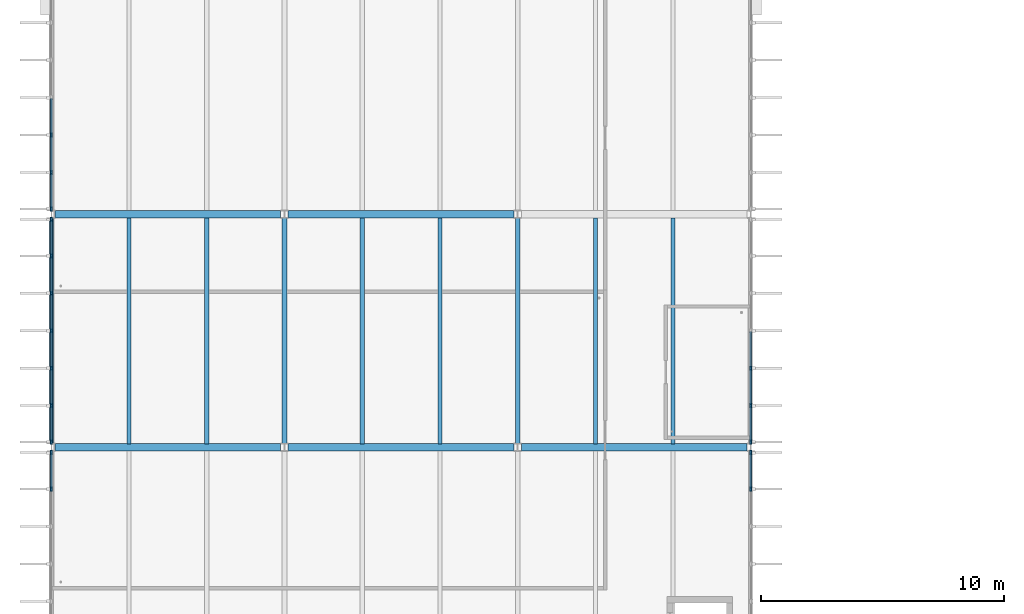
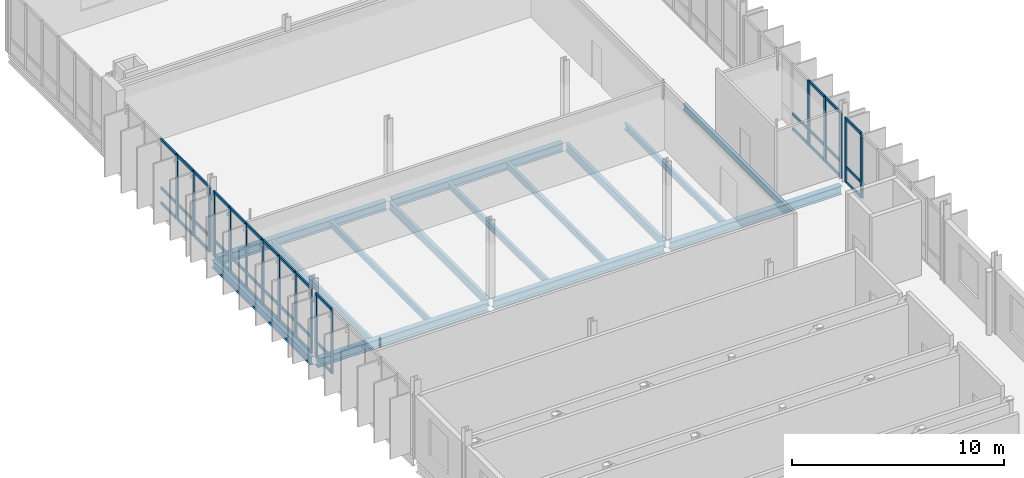
# One storey, part 40 of 110: 58 members, 14 beams, 5 elements without a shape of their own.
"""IFC4 building model written with IfcOpenShell, lengths in metres."""

from ifc_helpers import new_model, si_unit, direction, frame, origin, origin_2d, place, context, subcontext, project, spatial, rectangle, i_section, extrude, material, material_profile, profile_set, type_object, element, aggregate, save


model = new_model("IFC4")

# Units and contexts
model_context = context("Model", 3, precision=1e-05, world=origin(), true_north=direction((0.0, 1.0)))
body_context = subcontext(model_context, "Body", "Model", "MODEL_VIEW")
ifc_project = project(units=[si_unit("LENGTHUNIT", "METRE"), si_unit("AREAUNIT", "SQUARE_METRE"), si_unit("VOLUMEUNIT", "CUBIC_METRE"), si_unit("PLANEANGLEUNIT", "RADIAN"), si_unit("MASSUNIT", "GRAM", prefix="KILO")], contexts=[model_context])

# Site, building, storey
site_placement = place(None, origin())
site = spatial("IfcSite", under=ifc_project, at=site_placement, CompositionType="ELEMENT")
building_placement = place(site_placement, origin())
building = spatial("IfcBuilding", under=site, at=building_placement, Name="Dunescarp Central Library", CompositionType="ELEMENT")
storey_placement = place(building_placement, frame((0.0, 0.0, 9.60009765625)))
storey = spatial("IfcBuildingStorey", under=building, at=storey_placement, Name="L02", CompositionType="ELEMENT", Elevation=9.60009765625)

# Curtain wall, members
ifc_material_1 = material(Name="Marine-grade anodised aluminium 6063-T6", Category="aluminium")
curtain_wall_type = type_object("IfcCurtainWallType", Name="ARC-CW-STICK", PredefinedType="NOTDEFINED", material=ifc_material_1)
curtain_wall_1_placement = place(storey_placement, origin())
curtain_wall_1 = element("IfcCurtainWall", 1, at=curtain_wall_1_placement, inside=storey, type_object=curtain_wall_type, Name="L02 curtain wall CW-V4-124", PredefinedType="NOTDEFINED")
ifc_material_profile_1 = material_profile(ifc_material_1, rectangle(XDim=0.080078125, YDim=0.179931640625, at=origin_2d()), Name="AL 80x180")
ifc_profile_set_1 = profile_set([ifc_material_profile_1], Name="Marine-grade anodised aluminium 6063-T6")
member_type_1 = type_object("IfcMemberType", Name="ARC-CWM-180", PredefinedType="MULLION", material=ifc_profile_set_1)
member_1_placement = place(storey_placement, frame((0.0, 68.683349609375, 0.0), z_axis=(0.0, 0.0, 1.0), x_axis=(-1.0, 0.0, 0.0)))
member_1 = element("IfcMember", 2, at=member_1_placement, type_object=member_type_1, Name="CW-V4-124 mullion 6", PredefinedType="MULLION", context=body_context, shape_type="SweptSolid", body=[
    extrude(rectangle(XDim=0.080078125, YDim=0.179931640625, at=origin_2d()), origin(), (0.0, 0.0, 1.0), 3.701904296875),
])
member_2_placement = place(storey_placement, frame((0.0, 70.18505859375, 0.0), z_axis=(0.0, 0.0, 1.0), x_axis=(-1.0, 0.0, 0.0)))
member_2 = element("IfcMember", 3, at=member_2_placement, type_object=member_type_1, Name="CW-V4-124 mullion 7", PredefinedType="MULLION", context=body_context, shape_type="SweptSolid", body=[
    extrude(rectangle(XDim=0.080078125, YDim=0.179931640625, at=origin_2d()), origin(), (0.0, 0.0, 1.0), 3.701904296875),
])

curtain_wall_2_placement = place(storey_placement, origin())
curtain_wall_2 = element("IfcCurtainWall", 4, at=curtain_wall_2_placement, inside=storey, type_object=curtain_wall_type, Name="L02 curtain wall CW-V4-125", PredefinedType="NOTDEFINED")
member_3_placement = place(storey_placement, frame((28.800048828125, 70.18505859375, 0.0), z_axis=(0.0, 0.0, 1.0), x_axis=(1.0, 0.0, 0.0)))
member_3 = element("IfcMember", 5, at=member_3_placement, type_object=member_type_1, Name="CW-V4-125 mullion 1", PredefinedType="MULLION", context=body_context, shape_type="SweptSolid", body=[
    extrude(rectangle(XDim=0.080078125, YDim=0.179931640625, at=origin_2d()), origin(), (0.0, 0.0, 1.0), 3.701904296875),
])
member_4_placement = place(storey_placement, frame((28.800048828125, 68.683349609375, 0.0), z_axis=(0.0, 0.0, 1.0), x_axis=(1.0, 0.0, 0.0)))
member_4 = element("IfcMember", 6, at=member_4_placement, type_object=member_type_1, Name="CW-V4-125 mullion 2", PredefinedType="MULLION", context=body_context, shape_type="SweptSolid", body=[
    extrude(rectangle(XDim=0.080078125, YDim=0.179931640625, at=origin_2d()), origin(), (0.0, 0.0, 1.0), 3.701904296875),
])

curtain_wall_3_placement = place(storey_placement, origin())
curtain_wall_3 = element("IfcCurtainWall", 7, at=curtain_wall_3_placement, inside=storey, type_object=curtain_wall_type, Name="L02 curtain wall CW-V4-126", PredefinedType="NOTDEFINED")
member_5_placement = place(storey_placement, frame((0.0, 70.614990234375, 0.0), z_axis=(0.0, 0.0, 1.0), x_axis=(-1.0, 0.0, 0.0)))
member_5 = element("IfcMember", 8, at=member_5_placement, type_object=member_type_1, Name="CW-V4-126 mullion 1", PredefinedType="MULLION", context=body_context, shape_type="SweptSolid", body=[
    extrude(rectangle(XDim=0.080078125, YDim=0.179931640625, at=origin_2d()), origin(), (0.0, 0.0, 1.0), 3.73486328125),
])
member_6_placement = place(storey_placement, frame((0.0, 72.11669921875, 0.0), z_axis=(0.0, 0.0, 1.0), x_axis=(-1.0, 0.0, 0.0)))
member_6 = element("IfcMember", 9, at=member_6_placement, type_object=member_type_1, Name="CW-V4-126 mullion 2", PredefinedType="MULLION", context=body_context, shape_type="SweptSolid", body=[
    extrude(rectangle(XDim=0.080078125, YDim=0.179931640625, at=origin_2d()), origin(), (0.0, 0.0, 1.0), 3.73486328125),
])
member_7_placement = place(storey_placement, frame((0.0, 73.658447265625, 0.0), z_axis=(0.0, 0.0, 1.0), x_axis=(-1.0, 0.0, 0.0)))
member_7 = element("IfcMember", 10, at=member_7_placement, type_object=member_type_1, Name="CW-V4-126 mullion 3", PredefinedType="MULLION", context=body_context, shape_type="SweptSolid", body=[
    extrude(rectangle(XDim=0.080078125, YDim=0.179931640625, at=origin_2d()), origin(), (0.0, 0.0, 1.0), 3.73486328125),
])
member_8_placement = place(storey_placement, frame((0.0, 75.199951171875, 0.0), z_axis=(0.0, 0.0, 1.0), x_axis=(-1.0, 0.0, 0.0)))
member_8 = element("IfcMember", 11, at=member_8_placement, type_object=member_type_1, Name="CW-V4-126 mullion 4", PredefinedType="MULLION", context=body_context, shape_type="SweptSolid", body=[
    extrude(rectangle(XDim=0.080078125, YDim=0.179931640625, at=origin_2d()), origin(), (0.0, 0.0, 1.0), 3.73486328125),
])
member_9_placement = place(storey_placement, frame((0.0, 76.74169921875, 0.0), z_axis=(0.0, 0.0, 1.0), x_axis=(-1.0, 0.0, 0.0)))
member_9 = element("IfcMember", 12, at=member_9_placement, type_object=member_type_1, Name="CW-V4-126 mullion 5", PredefinedType="MULLION", context=body_context, shape_type="SweptSolid", body=[
    extrude(rectangle(XDim=0.080078125, YDim=0.179931640625, at=origin_2d()), origin(), (0.0, 0.0, 1.0), 3.73486328125),
])
member_10_placement = place(storey_placement, frame((0.0, 78.283447265625, 0.0), z_axis=(0.0, 0.0, 1.0), x_axis=(-1.0, 0.0, 0.0)))
member_10 = element("IfcMember", 13, at=member_10_placement, type_object=member_type_1, Name="CW-V4-126 mullion 6", PredefinedType="MULLION", context=body_context, shape_type="SweptSolid", body=[
    extrude(rectangle(XDim=0.080078125, YDim=0.179931640625, at=origin_2d()), origin(), (0.0, 0.0, 1.0), 3.73486328125),
])
member_11_placement = place(storey_placement, frame((0.0, 79.784912109375, 0.0), z_axis=(0.0, 0.0, 1.0), x_axis=(-1.0, 0.0, 0.0)))
member_11 = element("IfcMember", 14, at=member_11_placement, type_object=member_type_1, Name="CW-V4-126 mullion 7", PredefinedType="MULLION", context=body_context, shape_type="SweptSolid", body=[
    extrude(rectangle(XDim=0.080078125, YDim=0.179931640625, at=origin_2d()), origin(), (0.0, 0.0, 1.0), 3.73486328125),
])

curtain_wall_4_placement = place(storey_placement, origin())
curtain_wall_4 = element("IfcCurtainWall", 15, at=curtain_wall_4_placement, inside=storey, type_object=curtain_wall_type, Name="L02 curtain wall CW-V4-127", PredefinedType="NOTDEFINED")
member_12_placement = place(storey_placement, frame((28.800048828125, 73.658447265625, 0.0), z_axis=(0.0, 0.0, 1.0), x_axis=(1.0, 0.0, 0.0)))
member_12 = element("IfcMember", 16, at=member_12_placement, type_object=member_type_1, Name="CW-V4-127 mullion 5", PredefinedType="MULLION", context=body_context, shape_type="SweptSolid", body=[
    extrude(rectangle(XDim=0.080078125, YDim=0.179931640625, at=origin_2d()), origin(), (0.0, 0.0, 1.0), 3.73486328125),
])
member_13_placement = place(storey_placement, frame((28.800048828125, 72.11669921875, 0.0), z_axis=(0.0, 0.0, 1.0), x_axis=(1.0, 0.0, 0.0)))
member_13 = element("IfcMember", 17, at=member_13_placement, type_object=member_type_1, Name="CW-V4-127 mullion 6", PredefinedType="MULLION", context=body_context, shape_type="SweptSolid", body=[
    extrude(rectangle(XDim=0.080078125, YDim=0.179931640625, at=origin_2d()), origin(), (0.0, 0.0, 1.0), 3.73486328125),
])
member_14_placement = place(storey_placement, frame((28.800048828125, 70.614990234375, 0.0), z_axis=(0.0, 0.0, 1.0), x_axis=(1.0, 0.0, 0.0)))
member_14 = element("IfcMember", 18, at=member_14_placement, type_object=member_type_1, Name="CW-V4-127 mullion 7", PredefinedType="MULLION", context=body_context, shape_type="SweptSolid", body=[
    extrude(rectangle(XDim=0.080078125, YDim=0.179931640625, at=origin_2d()), origin(), (0.0, 0.0, 1.0), 3.73486328125),
])

curtain_wall_5_placement = place(storey_placement, origin())
curtain_wall_5 = element("IfcCurtainWall", 19, at=curtain_wall_5_placement, inside=storey, type_object=curtain_wall_type, Name="L02 curtain wall CW-V4-128", PredefinedType="NOTDEFINED")
member_15_placement = place(storey_placement, frame((0.0, 80.215087890625, 0.0), z_axis=(0.0, 0.0, 1.0), x_axis=(-1.0, 0.0, 0.0)))
member_15 = element("IfcMember", 20, at=member_15_placement, type_object=member_type_1, Name="CW-V4-128 mullion 1", PredefinedType="MULLION", context=body_context, shape_type="SweptSolid", body=[
    extrude(rectangle(XDim=0.080078125, YDim=0.179931640625, at=origin_2d()), origin(), (0.0, 0.0, 1.0), 3.73486328125),
])
member_16_placement = place(storey_placement, frame((0.0, 81.716552734375, 0.0), z_axis=(0.0, 0.0, 1.0), x_axis=(-1.0, 0.0, 0.0)))
member_16 = element("IfcMember", 21, at=member_16_placement, type_object=member_type_1, Name="CW-V4-128 mullion 2", PredefinedType="MULLION", context=body_context, shape_type="SweptSolid", body=[
    extrude(rectangle(XDim=0.080078125, YDim=0.179931640625, at=origin_2d()), origin(), (0.0, 0.0, 1.0), 3.73486328125),
])
member_17_placement = place(storey_placement, frame((0.0, 83.25830078125, 0.0), z_axis=(0.0, 0.0, 1.0), x_axis=(-1.0, 0.0, 0.0)))
member_17 = element("IfcMember", 22, at=member_17_placement, type_object=member_type_1, Name="CW-V4-128 mullion 3", PredefinedType="MULLION", context=body_context, shape_type="SweptSolid", body=[
    extrude(rectangle(XDim=0.080078125, YDim=0.179931640625, at=origin_2d()), origin(), (0.0, 0.0, 1.0), 3.73486328125),
])

# Member
ifc_material_profile_2 = material_profile(ifc_material_1, rectangle(XDim=0.080078125, YDim=0.14990234375, at=origin_2d()), Name="AL 80x150")
ifc_profile_set_2 = profile_set([ifc_material_profile_2], Name="Marine-grade anodised aluminium 6063-T6")
member_type_2 = type_object("IfcMemberType", Name="ARC-CWT-150", PredefinedType="USERDEFINED", material=ifc_profile_set_2)
member_18_placement = place(storey_placement, frame((0.0, 68.723388671875, 0.039794921875), z_axis=(0.0, 1.0, 0.0), x_axis=(-1.0, 0.0, 0.0)))
member_18 = element("IfcMember", 23, at=member_18_placement, type_object=member_type_2, Name="CW-V4-124 transom 6.1", ObjectType="TRANSOM", PredefinedType="USERDEFINED", context=body_context, shape_type="SweptSolid", body=[
    extrude(rectangle(XDim=0.080078125, YDim=0.14990234375, at=origin_2d()), origin(), (0.0, 0.0, 1.0), 1.421630859375),
])

member_19_placement = place(storey_placement, frame((0.0, 68.723388671875, 0.89990234375), z_axis=(0.0, 1.0, 0.0), x_axis=(-1.0, 0.0, 0.0)))
member_19 = element("IfcMember", 24, at=member_19_placement, type_object=member_type_2, Name="CW-V4-124 transom 6.2", ObjectType="TRANSOM", PredefinedType="USERDEFINED", context=body_context, shape_type="SweptSolid", body=[
    extrude(rectangle(XDim=0.080078125, YDim=0.14990234375, at=origin_2d()), origin(), (0.0, 0.0, 1.0), 1.421630859375),
])

member_20_placement = place(storey_placement, frame((0.0, 68.723388671875, 3.661865234375), z_axis=(0.0, 1.0, 0.0), x_axis=(-1.0, 0.0, 0.0)))
member_20 = element("IfcMember", 25, at=member_20_placement, type_object=member_type_2, Name="CW-V4-124 transom 6.3", ObjectType="TRANSOM", PredefinedType="USERDEFINED", context=body_context, shape_type="SweptSolid", body=[
    extrude(rectangle(XDim=0.080078125, YDim=0.14990234375, at=origin_2d()), origin(), (0.0, 0.0, 1.0), 1.421630859375),
])

aggregate(curtain_wall_1, [member_1, member_2, member_18, member_19, member_20])

member_21_placement = place(storey_placement, frame((28.800048828125, 70.14501953125, 0.039794921875), z_axis=(0.0, -1.0, 0.0), x_axis=(1.0, 0.0, 0.0)))
member_21 = element("IfcMember", 26, at=member_21_placement, type_object=member_type_2, Name="CW-V4-125 transom 1.1", ObjectType="TRANSOM", PredefinedType="USERDEFINED", context=body_context, shape_type="SweptSolid", body=[
    extrude(rectangle(XDim=0.080078125, YDim=0.14990234375, at=origin_2d()), origin(), (0.0, 0.0, 1.0), 1.421630859375),
])

member_22_placement = place(storey_placement, frame((28.800048828125, 70.14501953125, 0.89990234375), z_axis=(0.0, -1.0, 0.0), x_axis=(1.0, 0.0, 0.0)))
member_22 = element("IfcMember", 27, at=member_22_placement, type_object=member_type_2, Name="CW-V4-125 transom 1.2", ObjectType="TRANSOM", PredefinedType="USERDEFINED", context=body_context, shape_type="SweptSolid", body=[
    extrude(rectangle(XDim=0.080078125, YDim=0.14990234375, at=origin_2d()), origin(), (0.0, 0.0, 1.0), 1.421630859375),
])

member_23_placement = place(storey_placement, frame((28.800048828125, 70.14501953125, 3.661865234375), z_axis=(0.0, -1.0, 0.0), x_axis=(1.0, 0.0, 0.0)))
member_23 = element("IfcMember", 28, at=member_23_placement, type_object=member_type_2, Name="CW-V4-125 transom 1.3", ObjectType="TRANSOM", PredefinedType="USERDEFINED", context=body_context, shape_type="SweptSolid", body=[
    extrude(rectangle(XDim=0.080078125, YDim=0.14990234375, at=origin_2d()), origin(), (0.0, 0.0, 1.0), 1.421630859375),
])

aggregate(curtain_wall_2, [member_3, member_4, member_21, member_22, member_23])

member_24_placement = place(storey_placement, frame((0.0, 70.655029296875, 0.039794921875), z_axis=(0.0, 1.0, 0.0), x_axis=(-1.0, 0.0, 0.0)))
member_24 = element("IfcMember", 29, at=member_24_placement, type_object=member_type_2, Name="CW-V4-126 transom 1.1", ObjectType="TRANSOM", PredefinedType="USERDEFINED", context=body_context, shape_type="SweptSolid", body=[
    extrude(rectangle(XDim=0.080078125, YDim=0.14990234375, at=origin_2d()), origin(), (0.0, 0.0, 1.0), 1.421630859375),
])

member_25_placement = place(storey_placement, frame((0.0, 70.655029296875, 0.89990234375), z_axis=(0.0, 1.0, 0.0), x_axis=(-1.0, 0.0, 0.0)))
member_25 = element("IfcMember", 30, at=member_25_placement, type_object=member_type_2, Name="CW-V4-126 transom 1.2", ObjectType="TRANSOM", PredefinedType="USERDEFINED", context=body_context, shape_type="SweptSolid", body=[
    extrude(rectangle(XDim=0.080078125, YDim=0.14990234375, at=origin_2d()), origin(), (0.0, 0.0, 1.0), 1.421630859375),
])

member_26_placement = place(storey_placement, frame((0.0, 70.655029296875, 3.69482421875), z_axis=(0.0, 1.0, 0.0), x_axis=(-1.0, 0.0, 0.0)))
member_26 = element("IfcMember", 31, at=member_26_placement, type_object=member_type_2, Name="CW-V4-126 transom 1.3", ObjectType="TRANSOM", PredefinedType="USERDEFINED", context=body_context, shape_type="SweptSolid", body=[
    extrude(rectangle(XDim=0.080078125, YDim=0.14990234375, at=origin_2d()), origin(), (0.0, 0.0, 1.0), 1.421630859375),
])

member_27_placement = place(storey_placement, frame((0.0, 72.15673828125, 0.039794921875), z_axis=(0.0, 1.0, 0.0), x_axis=(-1.0, 0.0, 0.0)))
member_27 = element("IfcMember", 32, at=member_27_placement, type_object=member_type_2, Name="CW-V4-126 transom 2.1", ObjectType="TRANSOM", PredefinedType="USERDEFINED", context=body_context, shape_type="SweptSolid", body=[
    extrude(rectangle(XDim=0.080078125, YDim=0.14990234375, at=origin_2d()), origin(), (0.0, 0.0, 1.0), 1.461669921875),
])

member_28_placement = place(storey_placement, frame((0.0, 72.15673828125, 0.89990234375), z_axis=(0.0, 1.0, 0.0), x_axis=(-1.0, 0.0, 0.0)))
member_28 = element("IfcMember", 33, at=member_28_placement, type_object=member_type_2, Name="CW-V4-126 transom 2.2", ObjectType="TRANSOM", PredefinedType="USERDEFINED", context=body_context, shape_type="SweptSolid", body=[
    extrude(rectangle(XDim=0.080078125, YDim=0.14990234375, at=origin_2d()), origin(), (0.0, 0.0, 1.0), 1.461669921875),
])

member_29_placement = place(storey_placement, frame((0.0, 72.15673828125, 3.69482421875), z_axis=(0.0, 1.0, 0.0), x_axis=(-1.0, 0.0, 0.0)))
member_29 = element("IfcMember", 34, at=member_29_placement, type_object=member_type_2, Name="CW-V4-126 transom 2.3", ObjectType="TRANSOM", PredefinedType="USERDEFINED", context=body_context, shape_type="SweptSolid", body=[
    extrude(rectangle(XDim=0.080078125, YDim=0.14990234375, at=origin_2d()), origin(), (0.0, 0.0, 1.0), 1.461669921875),
])

member_30_placement = place(storey_placement, frame((0.0, 73.6982421875, 0.039794921875), z_axis=(0.0, 1.0, 0.0), x_axis=(-1.0, 0.0, 0.0)))
member_30 = element("IfcMember", 35, at=member_30_placement, type_object=member_type_2, Name="CW-V4-126 transom 3.1", ObjectType="TRANSOM", PredefinedType="USERDEFINED", context=body_context, shape_type="SweptSolid", body=[
    extrude(rectangle(XDim=0.080078125, YDim=0.14990234375, at=origin_2d()), origin(), (0.0, 0.0, 1.0), 1.461669921875),
])

member_31_placement = place(storey_placement, frame((0.0, 73.6982421875, 0.89990234375), z_axis=(0.0, 1.0, 0.0), x_axis=(-1.0, 0.0, 0.0)))
member_31 = element("IfcMember", 36, at=member_31_placement, type_object=member_type_2, Name="CW-V4-126 transom 3.2", ObjectType="TRANSOM", PredefinedType="USERDEFINED", context=body_context, shape_type="SweptSolid", body=[
    extrude(rectangle(XDim=0.080078125, YDim=0.14990234375, at=origin_2d()), origin(), (0.0, 0.0, 1.0), 1.461669921875),
])

member_32_placement = place(storey_placement, frame((0.0, 73.6982421875, 3.69482421875), z_axis=(0.0, 1.0, 0.0), x_axis=(-1.0, 0.0, 0.0)))
member_32 = element("IfcMember", 37, at=member_32_placement, type_object=member_type_2, Name="CW-V4-126 transom 3.3", ObjectType="TRANSOM", PredefinedType="USERDEFINED", context=body_context, shape_type="SweptSolid", body=[
    extrude(rectangle(XDim=0.080078125, YDim=0.14990234375, at=origin_2d()), origin(), (0.0, 0.0, 1.0), 1.461669921875),
])

member_33_placement = place(storey_placement, frame((0.0, 75.239990234375, 0.039794921875), z_axis=(0.0, 1.0, 0.0), x_axis=(-1.0, 0.0, 0.0)))
member_33 = element("IfcMember", 38, at=member_33_placement, type_object=member_type_2, Name="CW-V4-126 transom 4.1", ObjectType="TRANSOM", PredefinedType="USERDEFINED", context=body_context, shape_type="SweptSolid", body=[
    extrude(rectangle(XDim=0.080078125, YDim=0.14990234375, at=origin_2d()), origin(), (0.0, 0.0, 1.0), 1.461669921875),
])

member_34_placement = place(storey_placement, frame((0.0, 75.239990234375, 0.89990234375), z_axis=(0.0, 1.0, 0.0), x_axis=(-1.0, 0.0, 0.0)))
member_34 = element("IfcMember", 39, at=member_34_placement, type_object=member_type_2, Name="CW-V4-126 transom 4.2", ObjectType="TRANSOM", PredefinedType="USERDEFINED", context=body_context, shape_type="SweptSolid", body=[
    extrude(rectangle(XDim=0.080078125, YDim=0.14990234375, at=origin_2d()), origin(), (0.0, 0.0, 1.0), 1.461669921875),
])

member_35_placement = place(storey_placement, frame((0.0, 75.239990234375, 3.69482421875), z_axis=(0.0, 1.0, 0.0), x_axis=(-1.0, 0.0, 0.0)))
member_35 = element("IfcMember", 40, at=member_35_placement, type_object=member_type_2, Name="CW-V4-126 transom 4.3", ObjectType="TRANSOM", PredefinedType="USERDEFINED", context=body_context, shape_type="SweptSolid", body=[
    extrude(rectangle(XDim=0.080078125, YDim=0.14990234375, at=origin_2d()), origin(), (0.0, 0.0, 1.0), 1.461669921875),
])

member_36_placement = place(storey_placement, frame((0.0, 76.78173828125, 0.039794921875), z_axis=(0.0, 1.0, 0.0), x_axis=(-1.0, 0.0, 0.0)))
member_36 = element("IfcMember", 41, at=member_36_placement, type_object=member_type_2, Name="CW-V4-126 transom 5.1", ObjectType="TRANSOM", PredefinedType="USERDEFINED", context=body_context, shape_type="SweptSolid", body=[
    extrude(rectangle(XDim=0.080078125, YDim=0.14990234375, at=origin_2d()), origin(), (0.0, 0.0, 1.0), 1.461669921875),
])

member_37_placement = place(storey_placement, frame((0.0, 76.78173828125, 0.89990234375), z_axis=(0.0, 1.0, 0.0), x_axis=(-1.0, 0.0, 0.0)))
member_37 = element("IfcMember", 42, at=member_37_placement, type_object=member_type_2, Name="CW-V4-126 transom 5.2", ObjectType="TRANSOM", PredefinedType="USERDEFINED", context=body_context, shape_type="SweptSolid", body=[
    extrude(rectangle(XDim=0.080078125, YDim=0.14990234375, at=origin_2d()), origin(), (0.0, 0.0, 1.0), 1.461669921875),
])

member_38_placement = place(storey_placement, frame((0.0, 76.78173828125, 3.69482421875), z_axis=(0.0, 1.0, 0.0), x_axis=(-1.0, 0.0, 0.0)))
member_38 = element("IfcMember", 43, at=member_38_placement, type_object=member_type_2, Name="CW-V4-126 transom 5.3", ObjectType="TRANSOM", PredefinedType="USERDEFINED", context=body_context, shape_type="SweptSolid", body=[
    extrude(rectangle(XDim=0.080078125, YDim=0.14990234375, at=origin_2d()), origin(), (0.0, 0.0, 1.0), 1.461669921875),
])

member_39_placement = place(storey_placement, frame((0.0, 78.3232421875, 0.039794921875), z_axis=(0.0, 1.0, 0.0), x_axis=(-1.0, 0.0, 0.0)))
member_39 = element("IfcMember", 44, at=member_39_placement, type_object=member_type_2, Name="CW-V4-126 transom 6.1", ObjectType="TRANSOM", PredefinedType="USERDEFINED", context=body_context, shape_type="SweptSolid", body=[
    extrude(rectangle(XDim=0.080078125, YDim=0.14990234375, at=origin_2d()), origin(), (0.0, 0.0, 1.0), 1.421875),
])

member_40_placement = place(storey_placement, frame((0.0, 78.3232421875, 0.89990234375), z_axis=(0.0, 1.0, 0.0), x_axis=(-1.0, 0.0, 0.0)))
member_40 = element("IfcMember", 45, at=member_40_placement, type_object=member_type_2, Name="CW-V4-126 transom 6.2", ObjectType="TRANSOM", PredefinedType="USERDEFINED", context=body_context, shape_type="SweptSolid", body=[
    extrude(rectangle(XDim=0.080078125, YDim=0.14990234375, at=origin_2d()), origin(), (0.0, 0.0, 1.0), 1.421875),
])

member_41_placement = place(storey_placement, frame((0.0, 78.3232421875, 3.69482421875), z_axis=(0.0, 1.0, 0.0), x_axis=(-1.0, 0.0, 0.0)))
member_41 = element("IfcMember", 46, at=member_41_placement, type_object=member_type_2, Name="CW-V4-126 transom 6.3", ObjectType="TRANSOM", PredefinedType="USERDEFINED", context=body_context, shape_type="SweptSolid", body=[
    extrude(rectangle(XDim=0.080078125, YDim=0.14990234375, at=origin_2d()), origin(), (0.0, 0.0, 1.0), 1.421875),
])

aggregate(curtain_wall_3, [member_5, member_6, member_7, member_8, member_9, member_10, member_11, member_24, member_25, member_26, member_27, member_28, member_29, member_30, member_31, member_32, member_33, member_34, member_35, member_36, member_37, member_38, member_39, member_40, member_41])

member_42_placement = place(storey_placement, frame((28.800048828125, 75.159912109375, 0.039794921875), z_axis=(0.0, -1.0, 0.0), x_axis=(1.0, 0.0, 0.0)))
member_42 = element("IfcMember", 47, at=member_42_placement, type_object=member_type_2, Name="CW-V4-127 transom 4.1", ObjectType="TRANSOM", PredefinedType="USERDEFINED", context=body_context, shape_type="SweptSolid", body=[
    extrude(rectangle(XDim=0.080078125, YDim=0.14990234375, at=origin_2d()), origin(), (0.0, 0.0, 1.0), 1.461669921875),
])

member_43_placement = place(storey_placement, frame((28.800048828125, 75.159912109375, 0.89990234375), z_axis=(0.0, -1.0, 0.0), x_axis=(1.0, 0.0, 0.0)))
member_43 = element("IfcMember", 48, at=member_43_placement, type_object=member_type_2, Name="CW-V4-127 transom 4.2", ObjectType="TRANSOM", PredefinedType="USERDEFINED", context=body_context, shape_type="SweptSolid", body=[
    extrude(rectangle(XDim=0.080078125, YDim=0.14990234375, at=origin_2d()), origin(), (0.0, 0.0, 1.0), 1.461669921875),
])

member_44_placement = place(storey_placement, frame((28.800048828125, 73.618408203125, 0.039794921875), z_axis=(0.0, -1.0, 0.0), x_axis=(1.0, 0.0, 0.0)))
member_44 = element("IfcMember", 49, at=member_44_placement, type_object=member_type_2, Name="CW-V4-127 transom 5.1", ObjectType="TRANSOM", PredefinedType="USERDEFINED", context=body_context, shape_type="SweptSolid", body=[
    extrude(rectangle(XDim=0.080078125, YDim=0.14990234375, at=origin_2d()), origin(), (0.0, 0.0, 1.0), 1.461669921875),
])

member_45_placement = place(storey_placement, frame((28.800048828125, 73.618408203125, 0.89990234375), z_axis=(0.0, -1.0, 0.0), x_axis=(1.0, 0.0, 0.0)))
member_45 = element("IfcMember", 50, at=member_45_placement, type_object=member_type_2, Name="CW-V4-127 transom 5.2", ObjectType="TRANSOM", PredefinedType="USERDEFINED", context=body_context, shape_type="SweptSolid", body=[
    extrude(rectangle(XDim=0.080078125, YDim=0.14990234375, at=origin_2d()), origin(), (0.0, 0.0, 1.0), 1.461669921875),
])

member_46_placement = place(storey_placement, frame((28.800048828125, 73.618408203125, 3.69482421875), z_axis=(0.0, -1.0, 0.0), x_axis=(1.0, 0.0, 0.0)))
member_46 = element("IfcMember", 51, at=member_46_placement, type_object=member_type_2, Name="CW-V4-127 transom 5.3", ObjectType="TRANSOM", PredefinedType="USERDEFINED", context=body_context, shape_type="SweptSolid", body=[
    extrude(rectangle(XDim=0.080078125, YDim=0.14990234375, at=origin_2d()), origin(), (0.0, 0.0, 1.0), 1.461669921875),
])

member_47_placement = place(storey_placement, frame((28.800048828125, 72.07666015625, 0.039794921875), z_axis=(0.0, -1.0, 0.0), x_axis=(1.0, 0.0, 0.0)))
member_47 = element("IfcMember", 52, at=member_47_placement, type_object=member_type_2, Name="CW-V4-127 transom 6.1", ObjectType="TRANSOM", PredefinedType="USERDEFINED", context=body_context, shape_type="SweptSolid", body=[
    extrude(rectangle(XDim=0.080078125, YDim=0.14990234375, at=origin_2d()), origin(), (0.0, 0.0, 1.0), 1.421630859375),
])

member_48_placement = place(storey_placement, frame((28.800048828125, 72.07666015625, 0.89990234375), z_axis=(0.0, -1.0, 0.0), x_axis=(1.0, 0.0, 0.0)))
member_48 = element("IfcMember", 53, at=member_48_placement, type_object=member_type_2, Name="CW-V4-127 transom 6.2", ObjectType="TRANSOM", PredefinedType="USERDEFINED", context=body_context, shape_type="SweptSolid", body=[
    extrude(rectangle(XDim=0.080078125, YDim=0.14990234375, at=origin_2d()), origin(), (0.0, 0.0, 1.0), 1.421630859375),
])

member_49_placement = place(storey_placement, frame((28.800048828125, 72.07666015625, 3.69482421875), z_axis=(0.0, -1.0, 0.0), x_axis=(1.0, 0.0, 0.0)))
member_49 = element("IfcMember", 54, at=member_49_placement, type_object=member_type_2, Name="CW-V4-127 transom 6.3", ObjectType="TRANSOM", PredefinedType="USERDEFINED", context=body_context, shape_type="SweptSolid", body=[
    extrude(rectangle(XDim=0.080078125, YDim=0.14990234375, at=origin_2d()), origin(), (0.0, 0.0, 1.0), 1.421630859375),
])

aggregate(curtain_wall_4, [member_12, member_13, member_14, member_42, member_43, member_44, member_45, member_46, member_47, member_48, member_49])

member_50_placement = place(storey_placement, frame((0.0, 80.2548828125, 0.039794921875), z_axis=(0.0, 1.0, 0.0), x_axis=(-1.0, 0.0, 0.0)))
member_50 = element("IfcMember", 55, at=member_50_placement, type_object=member_type_2, Name="CW-V4-128 transom 1.1", ObjectType="TRANSOM", PredefinedType="USERDEFINED", context=body_context, shape_type="SweptSolid", body=[
    extrude(rectangle(XDim=0.080078125, YDim=0.14990234375, at=origin_2d()), origin(), (0.0, 0.0, 1.0), 1.421875),
])

member_51_placement = place(storey_placement, frame((0.0, 80.2548828125, 0.89990234375), z_axis=(0.0, 1.0, 0.0), x_axis=(-1.0, 0.0, 0.0)))
member_51 = element("IfcMember", 56, at=member_51_placement, type_object=member_type_2, Name="CW-V4-128 transom 1.2", ObjectType="TRANSOM", PredefinedType="USERDEFINED", context=body_context, shape_type="SweptSolid", body=[
    extrude(rectangle(XDim=0.080078125, YDim=0.14990234375, at=origin_2d()), origin(), (0.0, 0.0, 1.0), 1.421875),
])

member_52_placement = place(storey_placement, frame((0.0, 80.2548828125, 3.69482421875), z_axis=(0.0, 1.0, 0.0), x_axis=(-1.0, 0.0, 0.0)))
member_52 = element("IfcMember", 57, at=member_52_placement, type_object=member_type_2, Name="CW-V4-128 transom 1.3", ObjectType="TRANSOM", PredefinedType="USERDEFINED", context=body_context, shape_type="SweptSolid", body=[
    extrude(rectangle(XDim=0.080078125, YDim=0.14990234375, at=origin_2d()), origin(), (0.0, 0.0, 1.0), 1.421875),
])

member_53_placement = place(storey_placement, frame((0.0, 81.756591796875, 0.039794921875), z_axis=(0.0, 1.0, 0.0), x_axis=(-1.0, 0.0, 0.0)))
member_53 = element("IfcMember", 58, at=member_53_placement, type_object=member_type_2, Name="CW-V4-128 transom 2.1", ObjectType="TRANSOM", PredefinedType="USERDEFINED", context=body_context, shape_type="SweptSolid", body=[
    extrude(rectangle(XDim=0.080078125, YDim=0.14990234375, at=origin_2d()), origin(), (0.0, 0.0, 1.0), 1.461669921875),
])

member_54_placement = place(storey_placement, frame((0.0, 81.756591796875, 0.89990234375), z_axis=(0.0, 1.0, 0.0), x_axis=(-1.0, 0.0, 0.0)))
member_54 = element("IfcMember", 59, at=member_54_placement, type_object=member_type_2, Name="CW-V4-128 transom 2.2", ObjectType="TRANSOM", PredefinedType="USERDEFINED", context=body_context, shape_type="SweptSolid", body=[
    extrude(rectangle(XDim=0.080078125, YDim=0.14990234375, at=origin_2d()), origin(), (0.0, 0.0, 1.0), 1.461669921875),
])

member_55_placement = place(storey_placement, frame((0.0, 81.756591796875, 3.69482421875), z_axis=(0.0, 1.0, 0.0), x_axis=(-1.0, 0.0, 0.0)))
member_55 = element("IfcMember", 60, at=member_55_placement, type_object=member_type_2, Name="CW-V4-128 transom 2.3", ObjectType="TRANSOM", PredefinedType="USERDEFINED", context=body_context, shape_type="SweptSolid", body=[
    extrude(rectangle(XDim=0.080078125, YDim=0.14990234375, at=origin_2d()), origin(), (0.0, 0.0, 1.0), 1.461669921875),
])

member_56_placement = place(storey_placement, frame((0.0, 83.29833984375, 0.039794921875), z_axis=(0.0, 1.0, 0.0), x_axis=(-1.0, 0.0, 0.0)))
member_56 = element("IfcMember", 61, at=member_56_placement, type_object=member_type_2, Name="CW-V4-128 transom 3.1", ObjectType="TRANSOM", PredefinedType="USERDEFINED", context=body_context, shape_type="SweptSolid", body=[
    extrude(rectangle(XDim=0.080078125, YDim=0.14990234375, at=origin_2d()), origin(), (0.0, 0.0, 1.0), 1.461669921875),
])

member_57_placement = place(storey_placement, frame((0.0, 83.29833984375, 0.89990234375), z_axis=(0.0, 1.0, 0.0), x_axis=(-1.0, 0.0, 0.0)))
member_57 = element("IfcMember", 62, at=member_57_placement, type_object=member_type_2, Name="CW-V4-128 transom 3.2", ObjectType="TRANSOM", PredefinedType="USERDEFINED", context=body_context, shape_type="SweptSolid", body=[
    extrude(rectangle(XDim=0.080078125, YDim=0.14990234375, at=origin_2d()), origin(), (0.0, 0.0, 1.0), 1.461669921875),
])

member_58_placement = place(storey_placement, frame((0.0, 83.29833984375, 3.69482421875), z_axis=(0.0, 1.0, 0.0), x_axis=(-1.0, 0.0, 0.0)))
member_58 = element("IfcMember", 63, at=member_58_placement, type_object=member_type_2, Name="CW-V4-128 transom 3.3", ObjectType="TRANSOM", PredefinedType="USERDEFINED", context=body_context, shape_type="SweptSolid", body=[
    extrude(rectangle(XDim=0.080078125, YDim=0.14990234375, at=origin_2d()), origin(), (0.0, 0.0, 1.0), 1.461669921875),
])

aggregate(curtain_wall_5, [member_15, member_16, member_17, member_50, member_51, member_52, member_53, member_54, member_55, member_56, member_57, member_58])

# Beams
ifc_material_2 = material(Name="Steel S355JR", Category="steel")
ifc_material_profile_3 = material_profile(ifc_material_2, i_section(OverallWidth=0.300048828125, OverallDepth=0.5, WebThickness=0.014404296875, FlangeThickness=0.028076171875, at=origin_2d()), Name="HEB 500")
ifc_profile_set_3 = profile_set([ifc_material_profile_3], Name="Steel S355JR")
beam_type_1 = type_object("IfcBeamType", Name="STR-BM-HEB500", PredefinedType="BEAM", material=ifc_profile_set_3)
for number, where, z_axis, x_axis, name in (
    (64, (0.153076171875, 70.39990234375, -0.460205078125), (1.0, 0.0, 0.0), (0.0, 1.0, 0.0), "L02 girder BM-L02-0988"),
    (65, (0.153076171875, 80.0, -0.460205078125), (1.0, 0.0, 0.0), (0.0, 1.0, 0.0), "L02 girder BM-L02-0993"),
):
    element("IfcBeam", number, at=place(storey_placement, frame(where, z_axis=z_axis, x_axis=x_axis)), inside=storey, type_object=beam_type_1, Name=name, PredefinedType="BEAM", context=body_context, shape_type="SweptSolid", body=[
        extrude(i_section(OverallWidth=0.300048828125, OverallDepth=0.5, WebThickness=0.014404296875, FlangeThickness=0.028076171875, at=origin_2d()), origin(), (0.0, 0.0, 1.0), 9.2939453125),
    ])
for number, where, z_axis, x_axis, name in (
    (66, (9.7529296875, 70.39990234375, -0.460205078125), (1.0, 0.0, 0.0), (0.0, 1.0, 0.0), "L02 girder BM-L02-1004"),
    (67, (9.7529296875, 80.0, -0.460205078125), (1.0, 0.0, 0.0), (0.0, 1.0, 0.0), "L02 girder BM-L02-1008"),
):
    element("IfcBeam", number, at=place(storey_placement, frame(where, z_axis=z_axis, x_axis=x_axis)), inside=storey, type_object=beam_type_1, Name=name, PredefinedType="BEAM", context=body_context, shape_type="SweptSolid", body=[
        extrude(i_section(OverallWidth=0.300048828125, OverallDepth=0.5, WebThickness=0.014404296875, FlangeThickness=0.028076171875, at=origin_2d()), origin(), (0.0, 0.0, 1.0), 9.294189453125),
    ])
beam_placement = place(storey_placement, frame((19.35302734375, 70.39990234375, -0.460205078125), z_axis=(1.0, 0.0, 0.0), x_axis=(0.0, 1.0, 0.0)))
element("IfcBeam", 68, at=beam_placement, inside=storey, type_object=beam_type_1, Name="L02 girder BM-L02-1017", PredefinedType="BEAM", context=body_context, shape_type="SweptSolid", body=[
    extrude(i_section(OverallWidth=0.300048828125, OverallDepth=0.5, WebThickness=0.014404296875, FlangeThickness=0.028076171875, at=origin_2d()), origin(), (0.0, 0.0, 1.0), 9.2939453125),
])
ifc_material_profile_4 = material_profile(ifc_material_2, i_section(OverallWidth=0.18994140625, OverallDepth=0.453369140625, WebThickness=0.008544921875, FlangeThickness=0.0126953125, at=origin_2d()), Name="UB 457x191x67")
ifc_profile_set_4 = profile_set([ifc_material_profile_4], Name="Steel S355JR")
beam_type_2 = type_object("IfcBeamType", Name="STR-BM-UB457", PredefinedType="BEAM", material=ifc_profile_set_4)
for number, where, z_axis, x_axis, name in (
    (69, (0.0, 70.56103515625, -0.43701171875), (0.0, 1.0, 0.0), (-1.0, 0.0, 0.0), "L02 girder BM-L02-0994"),
    (70, (9.60009765625, 70.56103515625, -0.43701171875), (0.0, 1.0, 0.0), (-1.0, 0.0, 0.0), "L02 girder BM-L02-0995"),
    (71, (19.199951171875, 70.56103515625, -0.43701171875), (0.0, 1.0, 0.0), (-1.0, 0.0, 0.0), "L02 girder BM-L02-1009"),
):
    element("IfcBeam", number, at=place(storey_placement, frame(where, z_axis=z_axis, x_axis=x_axis)), inside=storey, type_object=beam_type_2, Name=name, PredefinedType="BEAM", context=body_context, shape_type="SweptSolid", body=[
        extrude(i_section(OverallWidth=0.18994140625, OverallDepth=0.453369140625, WebThickness=0.008544921875, FlangeThickness=0.0126953125, at=origin_2d()), origin(), (0.0, 0.0, 1.0), 9.278076171875),
    ])
ifc_material_profile_5 = material_profile(ifc_material_2, i_section(OverallWidth=0.169921875, OverallDepth=0.360107421875, WebThickness=0.008056640625, FlangeThickness=0.0126953125, at=origin_2d()), Name="IPE 360")
ifc_profile_set_5 = profile_set([ifc_material_profile_5], Name="Steel S355JR")
beam_type_3 = type_object("IfcBeamType", Name="STR-JS-IPE360", PredefinedType="JOIST", material=ifc_profile_set_5)
for number, where, z_axis, x_axis, name in (
    (72, (3.199951171875, 70.548095703125, -0.39013671875), (0.0, 1.0, 0.0), (-1.0, 0.0, 0.0), "L02 joist JS-L02-0996"),
    (73, (6.39990234375, 70.548095703125, -0.39013671875), (0.0, 1.0, 0.0), (-1.0, 0.0, 0.0), "L02 joist JS-L02-0997"),
    (74, (12.800048828125, 70.548095703125, -0.39013671875), (0.0, 1.0, 0.0), (-1.0, 0.0, 0.0), "L02 joist JS-L02-1010"),
    (75, (16.0, 70.548095703125, -0.39013671875), (0.0, 1.0, 0.0), (-1.0, 0.0, 0.0), "L02 joist JS-L02-1011"),
    (76, (22.39990234375, 70.548095703125, -0.39013671875), (0.0, 1.0, 0.0), (-1.0, 0.0, 0.0), "L02 joist JS-L02-1023"),
    (77, (25.60009765625, 70.548095703125, -0.39013671875), (0.0, 1.0, 0.0), (-1.0, 0.0, 0.0), "L02 joist JS-L02-1024"),
):
    element("IfcBeam", number, at=place(storey_placement, frame(where, z_axis=z_axis, x_axis=x_axis)), inside=storey, type_object=beam_type_3, Name=name, PredefinedType="JOIST", context=body_context, shape_type="SweptSolid", body=[
        extrude(i_section(OverallWidth=0.169921875, OverallDepth=0.360107421875, WebThickness=0.008056640625, FlangeThickness=0.0126953125, at=origin_2d()), origin(), (0.0, 0.0, 1.0), 9.303955078125),
    ])

save(model, "model.ifc")
